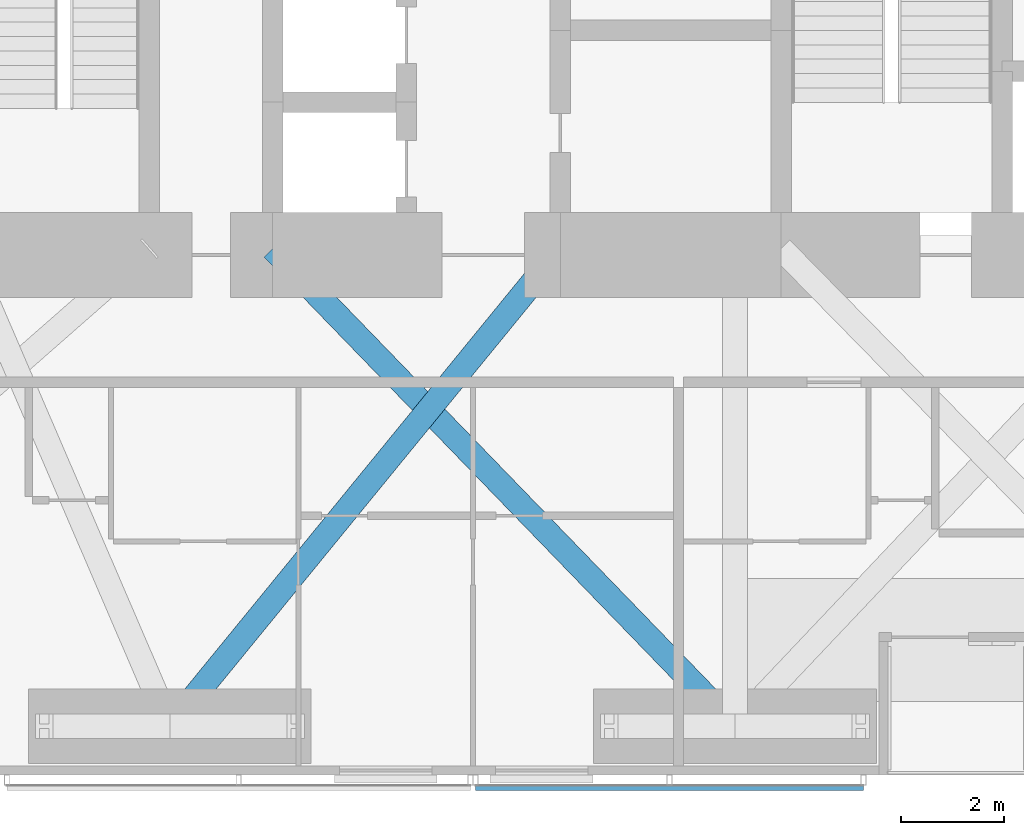
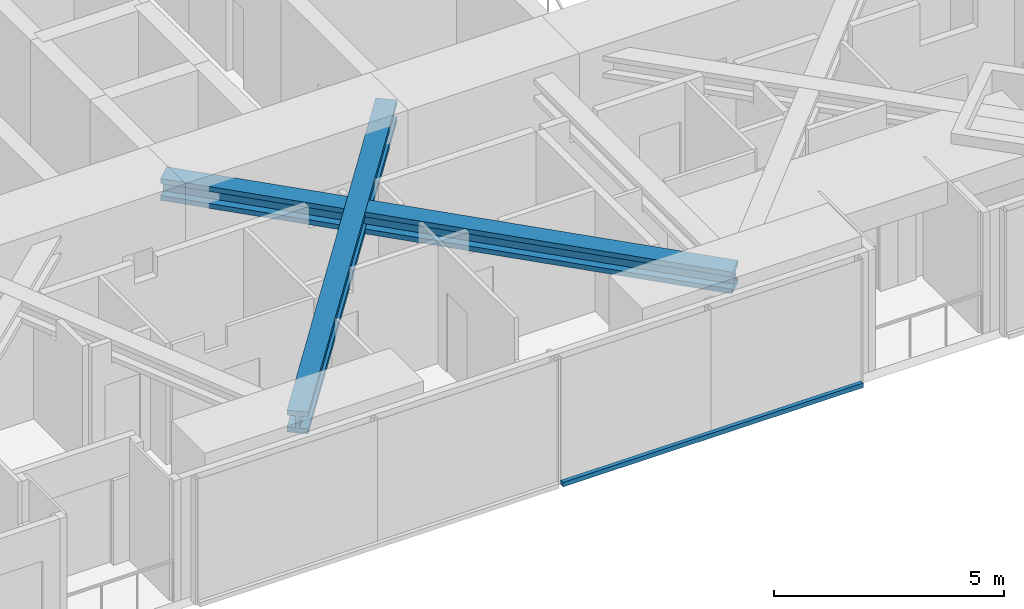
# One storey, part 5 of 22: 3 members, 1 element without a shape of its own.
"""IFC4 building model written with IfcOpenShell, lengths in metres."""

from ifc_helpers import new_model, si_unit, direction, frame, origin, origin_2d, place, context, subcontext, project, spatial, rectangle, i_section, extrude, material, material_profile, profile_set, type_object, element, aggregate, save


model = new_model("IFC4")

# Units and contexts
model_context = context("Model", 3, precision=1e-05, world=origin(), true_north=direction((0.0, 1.0)))
body_context = subcontext(model_context, "Body", "Model", "MODEL_VIEW")
ifc_project = project(units=[si_unit("LENGTHUNIT", "METRE"), si_unit("AREAUNIT", "SQUARE_METRE"), si_unit("VOLUMEUNIT", "CUBIC_METRE"), si_unit("PLANEANGLEUNIT", "RADIAN"), si_unit("MASSUNIT", "GRAM", prefix="KILO")], contexts=[model_context])

# Site, building, storey
site_placement = place(None, origin())
site = spatial("IfcSite", under=ifc_project, at=site_placement, CompositionType="ELEMENT")
building_placement = place(site_placement, origin())
building = spatial("IfcBuilding", under=site, at=building_placement, Name="Jalousie Tower", CompositionType="ELEMENT")
storey_placement = place(building_placement, frame((0.0, 0.0, 71.25)))
storey = spatial("IfcBuildingStorey", under=building, at=storey_placement, Name="L19", CompositionType="ELEMENT", Elevation=71.25)

# Members
ifc_material_1 = material(Name="Steel ASTM A992 Grade 50", Category="steel")
ifc_material_profile_1 = material_profile(ifc_material_1, i_section(OverallWidth=0.472412109375, OverallDepth=0.5791015625, WebThickness=0.094970703125, FlangeThickness=0.1298828125, at=origin_2d()), Name="W14X808")
ifc_profile_set_1 = profile_set([ifc_material_profile_1], Name="Steel ASTM A992 Grade 50")
member_type_1 = type_object("IfcMemberType", Name="KINK FLOOR TRUSS DIAGONAL W14X808", PredefinedType="BRACE", material=ifc_profile_set_1)
member_1_placement = place(storey_placement, frame((24.0, 0.949951171875, 2.930419921875), z_axis=(0.632787162778, 0.774325775513, 0.0), x_axis=(-0.774325775513, 0.632787162778, 0.0)))
element("IfcMember", 1, at=member_1_placement, inside=storey, type_object=member_type_1, Name="Kink floor truss L20 03 diagonal", PredefinedType="BRACE", context=body_context, shape_type="SweptSolid", body=[
    extrude(i_section(OverallWidth=0.472412109375, OverallDepth=0.5791015625, WebThickness=0.094970703125, FlangeThickness=0.1298828125, at=origin_2d()), origin(), (0.0, 0.0, 1.0), 12.010498046875),
])
member_2_placement = place(storey_placement, frame((35.0, 0.949951171875, 2.930419921875), z_axis=(-0.695419542081, 0.718603966376, 0.0), x_axis=(-0.718603966376, -0.695419542081, 0.0)))
element("IfcMember", 2, at=member_2_placement, inside=storey, type_object=member_type_1, Name="Kink floor truss L20 04 diagonal", PredefinedType="BRACE", context=body_context, shape_type="SweptSolid", body=[
    extrude(i_section(OverallWidth=0.472412109375, OverallDepth=0.5791015625, WebThickness=0.094970703125, FlangeThickness=0.1298828125, at=origin_2d()), origin(), (0.0, 0.0, 1.0), 12.94189453125),
])

# Curtain wall, member
ifc_material_2 = material(Name="Perforated aluminium sheet", Category="aluminium")
curtain_wall_type = type_object("IfcCurtainWallType", Name="SOLAR SCREEN SS-2", PredefinedType="USERDEFINED", material=ifc_material_2)
curtain_wall_placement = place(storey_placement, origin())
curtain_wall = element("IfcCurtainWall", 3, at=curtain_wall_placement, inside=storey, type_object=curtain_wall_type, Name="Solar screen L19", ObjectType="SOLAR SCREEN SS-2", PredefinedType="USERDEFINED")
ifc_material_3 = material(Name="Extruded aluminium screen rail", Category="aluminium")
ifc_material_profile_2 = material_profile(ifc_material_3, rectangle(XDim=0.1015625, YDim=0.1201171875, at=origin_2d()), Name="RAIL 102x120")
ifc_profile_set_2 = profile_set([ifc_material_profile_2], Name="Extruded aluminium screen rail")
member_type_2 = type_object("IfcMemberType", Name="SOLAR SCREEN SS-2 TRANSOM", PredefinedType="USERDEFINED", material=ifc_profile_set_2)
member_3_placement = place(storey_placement, frame((29.949951171875, -0.2490234375, -0.06005859375), z_axis=(1.0, 0.0, 0.0), x_axis=(0.0, 1.0, 0.0)))
member_3 = element("IfcMember", 4, at=member_3_placement, type_object=member_type_2, Name="SS2 rail", ObjectType="TRANSOM", PredefinedType="USERDEFINED", context=body_context, shape_type="SweptSolid", body=[
    extrude(rectangle(XDim=0.1015625, YDim=0.1201171875, at=origin_2d()), origin(), (0.0, 0.0, 1.0), 7.550048828125),
])
aggregate(curtain_wall, [member_3])

save(model, "model.ifc")
